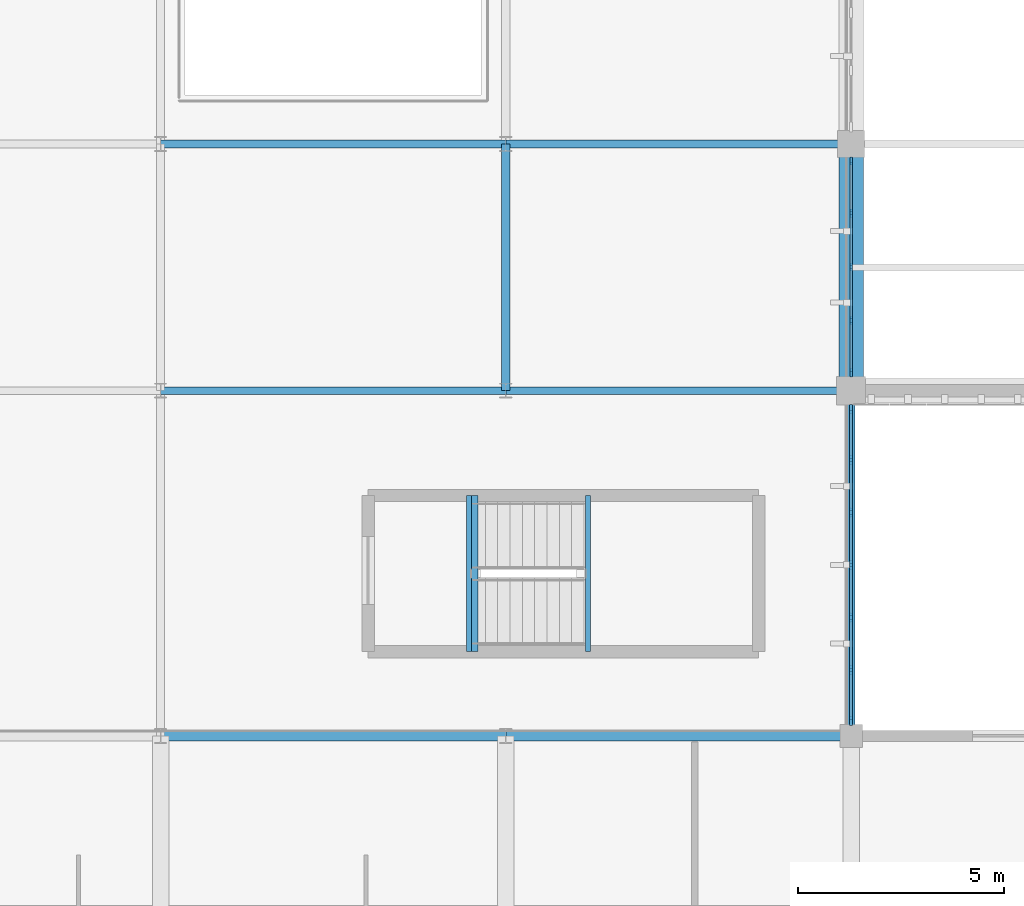
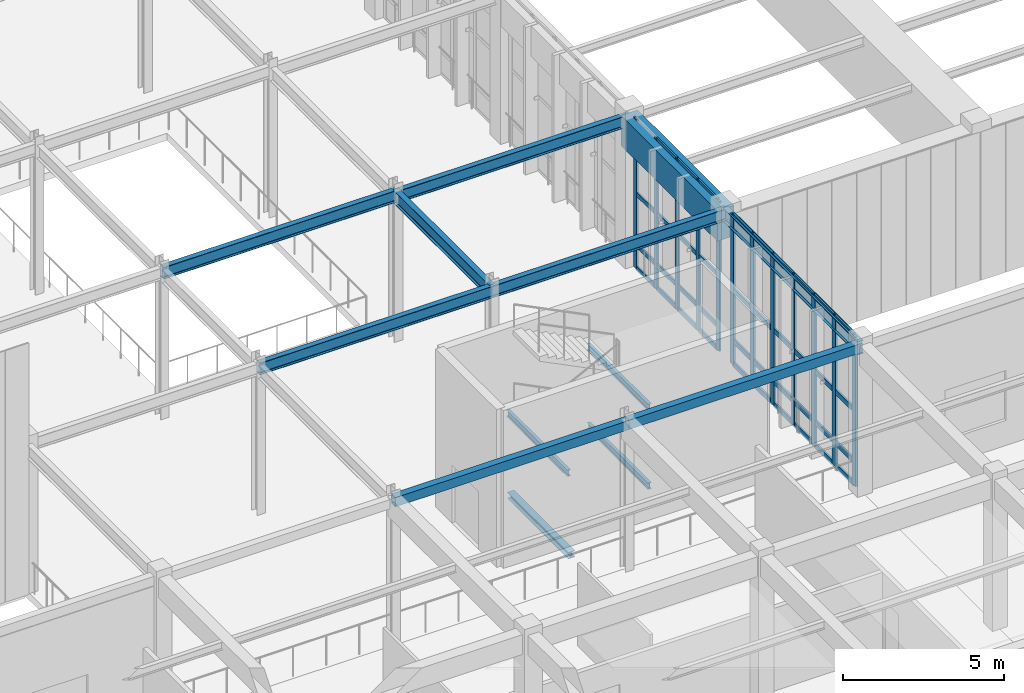
# One storey, part 24 of 105: 51 members, 13 beams, 2 elements without a shape of their own.
"""IFC4 building model written with IfcOpenShell, lengths in metres."""

import ifcopenshell
import ifcopenshell.guid

model = None  # the IFC model being written
_history = None  # IfcOwnerHistory: only IFC2X3 demands one
_inside = {}  # id of a spatial element -> (the spatial element, [elements in it])
_under = {}  # id of a project, library or spatial element -> (it, [spatial elements below it])
_declared = {}  # id of a project -> (the project, [libraries it declares])
_typed = {}  # id of a type object -> (the type object, [elements of that type])
_made_of = {}  # id of a material, layer set ... -> (it, [elements and type objects made of it])


def new_model(schema):
    """Start an empty IFC model of exactly this schema.

    Asked for "IFC4X3", IfcOpenShell would pick the latest addendum, in which some entities
    have other attributes; the version numbers below select the first issue.
    IFC2X3 requires an IfcOwnerHistory on every rooted entity: one is made here for all.
    """
    global model, _history
    if schema == "IFC4X3":
        model = ifcopenshell.file(schema_version=(4, 3, 0, 0))
    else:
        model = ifcopenshell.file(schema=schema)
    _inside.clear()
    _under.clear()
    _declared.clear()
    _typed.clear()
    _made_of.clear()
    _history = None
    if model.schema == "IFC2X3":
        org = make("IfcOrganization", Name="unknown")
        user = make(
            "IfcPersonAndOrganization",
            ThePerson=make("IfcPerson", FamilyName="unknown"),
            TheOrganization=org,
        )
        app = make(
            "IfcApplication",
            ApplicationDeveloper=org,
            Version="unknown",
            ApplicationFullName="unknown",
            ApplicationIdentifier="unknown",
        )
        _history = make(
            "IfcOwnerHistory",
            OwningUser=user,
            OwningApplication=app,
            ChangeAction="ADDED",
            CreationDate=0,
        )
    return model


def make(cls, **values):
    """One entity of the class cls with the attributes given. An attribute that is None is left unset."""
    return model.create_entity(
        cls, **{name: value for name, value in values.items() if value is not None}
    )


def rooted(cls, **values):
    """An entity with a GlobalId (a new one), such as an element, a storey or a relation."""
    return make(cls, GlobalId=ifcopenshell.guid.new(), OwnerHistory=_history, **values)


def si_unit(unit_type, name, prefix=None):
    """IfcSIUnit, for example si_unit("LENGTHUNIT", "METRE", prefix="MILLI")."""
    return make("IfcSIUnit", UnitType=unit_type, Prefix=prefix, Name=name)


def assignment(units):
    """IfcUnitAssignment: the units of a project."""
    return None if units is None else make("IfcUnitAssignment", Units=units)


def point(xyz):
    """IfcCartesianPoint."""
    return None if xyz is None else make("IfcCartesianPoint", Coordinates=xyz)


def direction(xyz):
    """IfcDirection."""
    return None if xyz is None else make("IfcDirection", DirectionRatios=xyz)


def frame(location, z_axis=None, x_axis=None):
    """IfcAxis2Placement3D, a coordinate frame: its origin and axes. An axis left out is left unset."""
    return make(
        "IfcAxis2Placement3D",
        Location=point(location),
        Axis=direction(z_axis),
        RefDirection=direction(x_axis),
    )


def frame_2d(location, x_axis=None):
    """IfcAxis2Placement2D, a coordinate frame in the plane: its origin and x axis."""
    return make(
        "IfcAxis2Placement2D", Location=point(location), RefDirection=direction(x_axis)
    )


def origin():
    """The frame at (0, 0, 0) with its axes left unset."""
    return frame((0.0, 0.0, 0.0))


def origin_2d():
    """The frame at (0, 0) in the plane with its x axis left unset."""
    return frame_2d((0.0, 0.0))


def place(relative_to, where):
    """IfcLocalPlacement: puts the frame where relative to a parent placement (None: the world)."""
    return make(
        "IfcLocalPlacement", PlacementRelTo=relative_to, RelativePlacement=where
    )


def context(
    kind, dimensions, precision=None, world=None, true_north=None, identifier=None
):
    """IfcGeometricRepresentationContext, for example the 3D "Model" context."""
    return make(
        "IfcGeometricRepresentationContext",
        ContextIdentifier=identifier,
        ContextType=kind,
        CoordinateSpaceDimension=dimensions,
        Precision=precision,
        WorldCoordinateSystem=world,
        TrueNorth=true_north,
    )


def subcontext(parent, identifier, kind, view, scale=None):
    """IfcGeometricRepresentationSubContext, for example "Body" below "Model"."""
    return make(
        "IfcGeometricRepresentationSubContext",
        ContextIdentifier=identifier,
        ContextType=kind,
        ParentContext=parent,
        TargetScale=scale,
        TargetView=view,
    )


def project(units=None, contexts=None):
    """IfcProject with its units and contexts."""
    return rooted(
        "IfcProject",
        Name="project",
        RepresentationContexts=contexts,
        UnitsInContext=assignment(units),
    )


def spatial(cls, under=None, at=None, **own):
    """A site, building, storey or space (cls), placed at a placement, below another one or the project."""
    s = rooted(cls, ObjectPlacement=at, **own)
    if under is not None:
        _under.setdefault(under.id(), (under, []))[1].append(s)
    return s


def profile(cls, at=None, kind="AREA", **sizes):
    """A parametric profile (cls). Its sizes go by their IFC names, for example OverallWidth=200.0."""
    return make(cls, ProfileType=kind, Position=at, **sizes)


def rectangle(**sizes):
    """IfcRectangleProfileDef."""
    return profile("IfcRectangleProfileDef", **sizes)


def hollow_rectangle(**sizes):
    """IfcRectangleHollowProfileDef."""
    return profile("IfcRectangleHollowProfileDef", **sizes)


def i_section(**sizes):
    """IfcIShapeProfileDef."""
    return profile("IfcIShapeProfileDef", **sizes)


def extrude(swept, where, along, depth):
    """IfcExtrudedAreaSolid: the profile swept, set in the frame where, extruded along a direction by depth."""
    return make(
        "IfcExtrudedAreaSolid",
        SweptArea=swept,
        Position=where,
        ExtrudedDirection=direction(along),
        Depth=depth,
    )


def shape(context_of_items, identifier, shape_type, items):
    """IfcShapeRepresentation: the items that make up one representation, for example the "Body"."""
    return make(
        "IfcShapeRepresentation",
        ContextOfItems=context_of_items,
        RepresentationIdentifier=identifier,
        RepresentationType=shape_type,
        Items=items,
    )


def material(Name=None, Category=None):
    """IfcMaterial."""
    return make("IfcMaterial", Name=Name, Category=Category)


def material_profile(
    of_material, cross_section, Name=None, Category=None, Priority=None
):
    """IfcMaterialProfile: a cross section and its material."""
    return make(
        "IfcMaterialProfile",
        Name=Name,
        Material=of_material,
        Profile=cross_section,
        Priority=Priority,
        Category=Category,
    )


def profile_set(profiles, Name=None, composite=None):
    """IfcMaterialProfileSet."""
    return make(
        "IfcMaterialProfileSet",
        Name=Name,
        MaterialProfiles=profiles,
        CompositeProfile=composite,
    )


def made_of(thing, what):
    """Note that an element or type object is made of a material, layer set ...; save() writes the relation."""
    if what is not None:
        _made_of.setdefault(what.id(), (what, []))[1].append(thing)
    return thing


def type_object(cls, material=None, **own):
    """A type object (cls), such as IfcWallType, which elements share."""
    return made_of(rooted(cls, **own), material)


def element(
    cls,
    number,
    at=None,
    inside=None,
    cuts=None,
    type_object=None,
    material=None,
    context=None,
    identifier="Body",
    shape_type=None,
    held_by="IfcProductDefinitionShape",
    body=None,
    shapes=None,
    **own,
):
    """One element of the class cls, such as IfcWall. Its Tag is "e" and its number.

    at: its placement. inside: the storey or other place that contains it. cuts: it is an
    opening in that element (IfcRelVoidsElement). A single representation is given by context,
    identifier, shape_type and body (its items); several are given by shapes. held_by: the class
    of the entity that holds the representations. save() writes the other relations.
    """
    e = rooted(cls, Tag="e%d" % number, ObjectPlacement=at, **own)
    if body is not None:
        shapes = [shape(context, identifier, shape_type, body)]
    if shapes is not None:
        e.Representation = make(held_by, Representations=shapes)
    if inside is not None:
        _inside.setdefault(inside.id(), (inside, []))[1].append(e)
    if cuts is not None:
        rooted(
            "IfcRelVoidsElement", RelatingBuildingElement=cuts, RelatedOpeningElement=e
        )
    if type_object is not None:
        _typed.setdefault(type_object.id(), (type_object, []))[1].append(e)
    return made_of(e, material)


def aggregate(whole, parts):
    """IfcRelAggregates: a whole, such as a stair, and the parts it consists of."""
    return rooted("IfcRelAggregates", RelatingObject=whole, RelatedObjects=parts)


def save(model, path):
    """Write the relations noted so far, then the file.

    IfcRelAggregates (storeys below a building ...), IfcRelContainedInSpatialStructure (elements
    in a storey), IfcRelDefinesByType, IfcRelAssociatesMaterial and IfcRelDeclares: one each for
    every whole, place, type object, material and project.
    """
    for whole, parts in _under.values():
        aggregate(whole, parts)
    for where, things in _inside.values():
        rooted(
            "IfcRelContainedInSpatialStructure",
            RelatedElements=things,
            RelatingStructure=where,
        )
    for kind, things in _typed.values():
        rooted("IfcRelDefinesByType", RelatedObjects=things, RelatingType=kind)
    for what, things in _made_of.values():
        rooted("IfcRelAssociatesMaterial", RelatedObjects=things, RelatingMaterial=what)
    for by, libraries in _declared.values():
        rooted("IfcRelDeclares", RelatingContext=by, RelatedDefinitions=libraries)
    model.write(path)


model = new_model("IFC4")

# Units and contexts
model_context = context("Model", 3, precision=1e-05, world=origin(), true_north=direction((0.0, 1.0)))
body_context = subcontext(model_context, "Body", "Model", "MODEL_VIEW")
ifc_project = project(units=[si_unit("LENGTHUNIT", "METRE"), si_unit("AREAUNIT", "SQUARE_METRE"), si_unit("VOLUMEUNIT", "CUBIC_METRE"), si_unit("PLANEANGLEUNIT", "RADIAN"), si_unit("MASSUNIT", "GRAM", prefix="KILO")], contexts=[model_context])

# Site, building, storey
site_placement = place(None, origin())
site = spatial("IfcSite", under=ifc_project, at=site_placement, CompositionType="ELEMENT")
building_placement = place(site_placement, origin())
building = spatial("IfcBuilding", under=site, at=building_placement, Name="Tizgana Railside Sports Hall", CompositionType="ELEMENT")
storey_placement = place(building_placement, frame((0.0, 0.0, 6.0)))
storey = spatial("IfcBuildingStorey", under=building, at=storey_placement, Name="L01", CompositionType="ELEMENT", Elevation=6.0)

# Beam
ifc_material_1 = material(Name="Concrete C40/50", Category="concrete")
ifc_material_profile_1 = material_profile(ifc_material_1, rectangle(XDim=0.60009765625, YDim=1.14990234375, at=origin_2d()), Name="RCB 600x1150")
ifc_profile_set_1 = profile_set([ifc_material_profile_1], Name="Concrete C40/50")
beam_type_1 = type_object("IfcBeamType", Name="Concrete Beam RCB 600x1150", PredefinedType="BEAM", material=ifc_profile_set_1)
beam_1_placement = place(storey_placement, frame((79.800048828125, 40.800048828125, 5.06103515625), z_axis=(0.0, 1.0, 0.0), x_axis=(-1.0, 0.0, 0.0)))
element("IfcBeam", 1, at=beam_1_placement, inside=storey, type_object=beam_type_1, Name="L01 CBG-0001", PredefinedType="BEAM", context=body_context, shape_type="SweptSolid", body=[
    extrude(rectangle(XDim=0.60009765625, YDim=1.14990234375, at=origin_2d()), origin(), (0.0, 0.0, 1.0), 6.0),
])

# Curtain wall, members
ifc_material_2 = material(Name="Anodised aluminium and glass", Category="aluminium")
curtain_wall_type_1 = type_object("IfcCurtainWallType", Name="Unitised Curtain Wall EastHall 1500", PredefinedType="NOTDEFINED", material=ifc_material_2)
curtain_wall_1_placement = place(storey_placement, origin())
curtain_wall_1 = element("IfcCurtainWall", 2, at=curtain_wall_1_placement, inside=storey, type_object=curtain_wall_type_1, Name="L01 Curtain Wall CW-0159", PredefinedType="NOTDEFINED")
ifc_material_3 = material(Name="Anodised aluminium", Category="aluminium")
ifc_material_profile_2 = material_profile(ifc_material_3, rectangle(XDim=0.06494140625, YDim=0.199951171875, at=origin_2d()), Name="Mullion 65x200")
ifc_profile_set_2 = profile_set([ifc_material_profile_2], Name="Anodised aluminium")
member_type_1 = type_object("IfcMemberType", Name="Mullion 65x200", PredefinedType="MULLION", material=ifc_profile_set_2)
member_1_placement = place(storey_placement, frame((79.800048828125, 41.237548828125, 0.0), z_axis=(0.0, 0.0, 1.0), x_axis=(-1.0, 0.0, 0.0)))
member_1 = element("IfcMember", 3, at=member_1_placement, type_object=member_type_1, Name="CW-08 mullion 1", PredefinedType="MULLION", context=body_context, shape_type="SweptSolid", body=[
    extrude(rectangle(XDim=0.06494140625, YDim=0.199951171875, at=origin_2d()), origin(), (0.0, 0.0, 1.0), 5.68994140625),
])
member_2_placement = place(storey_placement, frame((79.800048828125, 42.5087890625, 0.0), z_axis=(0.0, 0.0, 1.0), x_axis=(-1.0, 0.0, 0.0)))
member_2 = element("IfcMember", 4, at=member_2_placement, type_object=member_type_1, Name="CW-08 mullion 2", PredefinedType="MULLION", context=body_context, shape_type="SweptSolid", body=[
    extrude(rectangle(XDim=0.06494140625, YDim=0.199951171875, at=origin_2d()), origin(), (0.0, 0.0, 1.0), 5.68994140625),
])
member_3_placement = place(storey_placement, frame((79.800048828125, 43.8125, 0.0), z_axis=(0.0, 0.0, 1.0), x_axis=(-1.0, 0.0, 0.0)))
member_3 = element("IfcMember", 5, at=member_3_placement, type_object=member_type_1, Name="CW-08 mullion 3", PredefinedType="MULLION", context=body_context, shape_type="SweptSolid", body=[
    extrude(rectangle(XDim=0.06494140625, YDim=0.199951171875, at=origin_2d()), origin(), (0.0, 0.0, 1.0), 5.68994140625),
])
member_4_placement = place(storey_placement, frame((79.800048828125, 45.1162109375, 0.0), z_axis=(0.0, 0.0, 1.0), x_axis=(-1.0, 0.0, 0.0)))
member_4 = element("IfcMember", 6, at=member_4_placement, type_object=member_type_1, Name="CW-08 mullion 4", PredefinedType="MULLION", context=body_context, shape_type="SweptSolid", body=[
    extrude(rectangle(XDim=0.06494140625, YDim=0.199951171875, at=origin_2d()), origin(), (0.0, 0.0, 1.0), 5.68994140625),
])
member_5_placement = place(storey_placement, frame((79.800048828125, 46.387451171875, 0.0), z_axis=(0.0, 0.0, 1.0), x_axis=(-1.0, 0.0, 0.0)))
member_5 = element("IfcMember", 7, at=member_5_placement, type_object=member_type_1, Name="CW-08 mullion 5", PredefinedType="MULLION", context=body_context, shape_type="SweptSolid", body=[
    extrude(rectangle(XDim=0.06494140625, YDim=0.199951171875, at=origin_2d()), origin(), (0.0, 0.0, 1.0), 5.68994140625),
])

curtain_wall_type_2 = type_object("IfcCurtainWallType", Name="Unitised Curtain Wall Concourse 1500", PredefinedType="NOTDEFINED", material=ifc_material_2)
curtain_wall_2_placement = place(storey_placement, origin())
curtain_wall_2 = element("IfcCurtainWall", 8, at=curtain_wall_2_placement, inside=storey, type_object=curtain_wall_type_2, Name="L01 Curtain Wall CW-0040", PredefinedType="NOTDEFINED")
ifc_material_profile_3 = material_profile(ifc_material_3, rectangle(XDim=0.070068359375, YDim=0.219970703125, at=origin_2d()), Name="Mullion 70x220")
ifc_profile_set_3 = profile_set([ifc_material_profile_3], Name="Anodised aluminium")
member_type_2 = type_object("IfcMemberType", Name="Mullion 70x220", PredefinedType="MULLION", material=ifc_profile_set_3)
member_6_placement = place(storey_placement, frame((79.800048828125, 32.764892578125, 0.0), z_axis=(0.0, 0.0, 1.0), x_axis=(-1.0, 0.0, 0.0)))
member_6 = element("IfcMember", 9, at=member_6_placement, type_object=member_type_2, Name="CW-01 mullion 1", PredefinedType="MULLION", context=body_context, shape_type="SweptSolid", body=[
    extrude(rectangle(XDim=0.070068359375, YDim=0.219970703125, at=origin_2d()), origin(), (0.0, 0.0, 1.0), 5.68994140625),
])
member_7_placement = place(storey_placement, frame((79.800048828125, 34.007568359375, 0.0), z_axis=(0.0, 0.0, 1.0), x_axis=(-1.0, 0.0, 0.0)))
member_7 = element("IfcMember", 10, at=member_7_placement, type_object=member_type_2, Name="CW-01 mullion 2", PredefinedType="MULLION", context=body_context, shape_type="SweptSolid", body=[
    extrude(rectangle(XDim=0.070068359375, YDim=0.219970703125, at=origin_2d()), origin(), (0.0, 0.0, 1.0), 5.68994140625),
])
member_8_placement = place(storey_placement, frame((79.800048828125, 35.284912109375, 0.0), z_axis=(0.0, 0.0, 1.0), x_axis=(-1.0, 0.0, 0.0)))
member_8 = element("IfcMember", 11, at=member_8_placement, type_object=member_type_2, Name="CW-01 mullion 3", PredefinedType="MULLION", context=body_context, shape_type="SweptSolid", body=[
    extrude(rectangle(XDim=0.070068359375, YDim=0.219970703125, at=origin_2d()), origin(), (0.0, 0.0, 1.0), 5.68994140625),
])
member_9_placement = place(storey_placement, frame((79.800048828125, 36.5625, 0.0), z_axis=(0.0, 0.0, 1.0), x_axis=(-1.0, 0.0, 0.0)))
member_9 = element("IfcMember", 12, at=member_9_placement, type_object=member_type_2, Name="CW-01 mullion 4", PredefinedType="MULLION", context=body_context, shape_type="SweptSolid", body=[
    extrude(rectangle(XDim=0.070068359375, YDim=0.219970703125, at=origin_2d()), origin(), (0.0, 0.0, 1.0), 5.68994140625),
])
member_10_placement = place(storey_placement, frame((79.800048828125, 37.840087890625, 0.0), z_axis=(0.0, 0.0, 1.0), x_axis=(-1.0, 0.0, 0.0)))
member_10 = element("IfcMember", 13, at=member_10_placement, type_object=member_type_2, Name="CW-01 mullion 5", PredefinedType="MULLION", context=body_context, shape_type="SweptSolid", body=[
    extrude(rectangle(XDim=0.070068359375, YDim=0.219970703125, at=origin_2d()), origin(), (0.0, 0.0, 1.0), 5.68994140625),
])
member_11_placement = place(storey_placement, frame((79.800048828125, 39.117431640625, 0.0), z_axis=(0.0, 0.0, 1.0), x_axis=(-1.0, 0.0, 0.0)))
member_11 = element("IfcMember", 14, at=member_11_placement, type_object=member_type_2, Name="CW-01 mullion 6", PredefinedType="MULLION", context=body_context, shape_type="SweptSolid", body=[
    extrude(rectangle(XDim=0.070068359375, YDim=0.219970703125, at=origin_2d()), origin(), (0.0, 0.0, 1.0), 5.68994140625),
])
member_12_placement = place(storey_placement, frame((79.800048828125, 40.360107421875, 0.0), z_axis=(0.0, 0.0, 1.0), x_axis=(-1.0, 0.0, 0.0)))
member_12 = element("IfcMember", 15, at=member_12_placement, type_object=member_type_2, Name="CW-01 mullion 7", PredefinedType="MULLION", context=body_context, shape_type="SweptSolid", body=[
    extrude(rectangle(XDim=0.070068359375, YDim=0.219970703125, at=origin_2d()), origin(), (0.0, 0.0, 1.0), 5.68994140625),
])

# Beams
ifc_material_4 = material(Name="Steel S355J2", Category="steel")
ifc_material_profile_4 = material_profile(ifc_material_4, i_section(OverallWidth=0.1201171875, OverallDepth=0.239990234375, WebThickness=0.006103515625, FlangeThickness=0.009765625, FilletRadius=0.014892578125, at=origin_2d()), Name="IPE 240")
ifc_profile_set_4 = profile_set([ifc_material_profile_4], Name="Steel S355J2")
beam_type_2 = type_object("IfcBeamType", Name="Stair Mid-Landing Header IPE 240", PredefinedType="JOIST", material=ifc_profile_set_4)
for number, where, z_axis, x_axis, name in (
    (16, (73.39990234375, 34.449951171875, 1.177978515625), (0.0, 1.0, 0.0), (-1.0, 0.0, 0.0), "L01 C10 Mid Header 1"),
    (17, (70.5, 34.449951171875, 2.677978515625), (0.0, 1.0, 0.0), (-1.0, 0.0, 0.0), "L01 C10 Mid Header 2"),
    (18, (73.39990234375, 34.449951171875, 4.177978515625), (0.0, 1.0, 0.0), (-1.0, 0.0, 0.0), "L01 C10 Mid Header 3"),
):
    element("IfcBeam", number, at=place(storey_placement, frame(where, z_axis=z_axis, x_axis=x_axis)), inside=storey, type_object=beam_type_2, Name=name, PredefinedType="JOIST", context=body_context, shape_type="SweptSolid", body=[
        extrude(i_section(OverallWidth=0.1201171875, OverallDepth=0.239990234375, WebThickness=0.006103515625, FlangeThickness=0.009765625, FilletRadius=0.014892578125, at=origin_2d()), origin(), (0.0, 0.0, 1.0), 3.800048828125),
    ])
ifc_material_profile_5 = material_profile(ifc_material_4, i_section(OverallWidth=0.239990234375, OverallDepth=0.239990234375, WebThickness=0.010009765625, FlangeThickness=0.01708984375, FilletRadius=0.02099609375, at=origin_2d()), Name="HEB 240")
ifc_profile_set_5 = profile_set([ifc_material_profile_5], Name="Steel S355J2")
beam_type_3 = type_object("IfcBeamType", Name="Steel Beam HEB 240", PredefinedType="BEAM", material=ifc_profile_set_5)
beam_2_placement = place(storey_placement, frame((70.60009765625, 34.449951171875, -0.4619140625), z_axis=(0.0, 1.0, 0.0), x_axis=(-1.0, 0.0, 0.0)))
element("IfcBeam", 19, at=beam_2_placement, inside=storey, type_object=beam_type_3, Name="L01 C10 Landing Header", PredefinedType="BEAM", context=body_context, shape_type="SweptSolid", body=[
    extrude(i_section(OverallWidth=0.239990234375, OverallDepth=0.239990234375, WebThickness=0.010009765625, FlangeThickness=0.01708984375, FilletRadius=0.02099609375, at=origin_2d()), origin(), (0.0, 0.0, 1.0), 3.800048828125),
])
ifc_material_profile_6 = material_profile(ifc_material_4, i_section(OverallWidth=0.18994140625, OverallDepth=0.449951171875, WebThickness=0.009521484375, FlangeThickness=0.0146484375, FilletRadius=0.02099609375, at=origin_2d()), Name="IPE 450")
ifc_profile_set_6 = profile_set([ifc_material_profile_6], Name="Steel S355J2")
beam_type_4 = type_object("IfcBeamType", Name="Steel Beam IPE 450", PredefinedType="BEAM", material=ifc_profile_set_6)
for number, where, z_axis, x_axis, name in (
    (20, (63.0, 40.800048828125, 5.4609375), (1.0, 0.0, 0.0), (0.0, 1.0, 0.0), "L01 BEM-0974"),
    (21, (63.0, 46.800048828125, 5.4609375), (1.0, 0.0, 0.0), (0.0, 1.0, 0.0), "L01 BEM-0975"),
):
    element("IfcBeam", number, at=place(storey_placement, frame(where, z_axis=z_axis, x_axis=x_axis)), inside=storey, type_object=beam_type_4, Name=name, PredefinedType="BEAM", context=body_context, shape_type="SweptSolid", body=[
        extrude(i_section(OverallWidth=0.18994140625, OverallDepth=0.449951171875, WebThickness=0.009521484375, FlangeThickness=0.0146484375, FilletRadius=0.02099609375, at=origin_2d()), origin(), (0.0, 0.0, 1.0), 8.39990234375),
    ])
for number, where, z_axis, x_axis, name in (
    (22, (71.39990234375, 40.800048828125, 5.4609375), (1.0, 0.0, 0.0), (0.0, 1.0, 0.0), "L01 BEM-0981"),
    (23, (71.39990234375, 46.800048828125, 5.410888671875), (1.0, 0.0, 0.0), (0.0, 1.0, 0.0), "L01 BEM-0982"),
):
    element("IfcBeam", number, at=place(storey_placement, frame(where, z_axis=z_axis, x_axis=x_axis)), inside=storey, type_object=beam_type_4, Name=name, PredefinedType="BEAM", context=body_context, shape_type="SweptSolid", body=[
        extrude(i_section(OverallWidth=0.18994140625, OverallDepth=0.449951171875, WebThickness=0.009521484375, FlangeThickness=0.0146484375, FilletRadius=0.02099609375, at=origin_2d()), origin(), (0.0, 0.0, 1.0), 8.400146484375),
    ])
ifc_material_profile_7 = material_profile(ifc_material_4, i_section(OverallWidth=0.199951171875, OverallDepth=0.5, WebThickness=0.01025390625, FlangeThickness=0.01611328125, FilletRadius=0.02099609375, at=origin_2d()), Name="IPE 500")
ifc_profile_set_7 = profile_set([ifc_material_profile_7], Name="Steel S355J2")
beam_type_5 = type_object("IfcBeamType", Name="Steel Beam IPE 500", PredefinedType="BEAM", material=ifc_profile_set_7)
beam_3_placement = place(storey_placement, frame((71.39990234375, 40.800048828125, 5.43603515625), z_axis=(0.0, 1.0, 0.0), x_axis=(-1.0, 0.0, 0.0)))
element("IfcBeam", 24, at=beam_3_placement, inside=storey, type_object=beam_type_5, Name="L01 BEM-0960", PredefinedType="BEAM", context=body_context, shape_type="SweptSolid", body=[
    extrude(i_section(OverallWidth=0.199951171875, OverallDepth=0.5, WebThickness=0.01025390625, FlangeThickness=0.01611328125, FilletRadius=0.02099609375, at=origin_2d()), origin(), (0.0, 0.0, 1.0), 6.0),
])
beam_4_placement = place(storey_placement, frame((79.800048828125, 32.39990234375, 5.43603515625), z_axis=(0.0, 1.0, 0.0), x_axis=(-1.0, 0.0, 0.0)))
element("IfcBeam", 25, at=beam_4_placement, inside=storey, type_object=beam_type_5, Name="L01 BEM-0966", PredefinedType="BEAM", context=body_context, shape_type="SweptSolid", body=[
    extrude(i_section(OverallWidth=0.199951171875, OverallDepth=0.5, WebThickness=0.01025390625, FlangeThickness=0.01611328125, FilletRadius=0.02099609375, at=origin_2d()), origin(), (0.0, 0.0, 1.0), 8.400146484375),
])
ifc_material_profile_8 = material_profile(ifc_material_4, hollow_rectangle(XDim=0.25, YDim=0.35009765625, WallThickness=0.011962890625, at=origin_2d()), Name="RHS 350x250x12")
ifc_profile_set_8 = profile_set([ifc_material_profile_8], Name="Steel S355J2")
beam_type_6 = type_object("IfcBeamType", Name="Steel Spandrel RHS 350x250x12", PredefinedType="SPANDREL", material=ifc_profile_set_8)
beam_5_placement = place(storey_placement, frame((63.0, 32.39990234375, 5.510986328125), z_axis=(1.0, 0.0, 0.0), x_axis=(0.0, 1.0, 0.0)))
element("IfcBeam", 26, at=beam_5_placement, inside=storey, type_object=beam_type_6, Name="L01 BEM-0566", PredefinedType="SPANDREL", context=body_context, shape_type="SweptSolid", body=[
    extrude(hollow_rectangle(XDim=0.25, YDim=0.35009765625, WallThickness=0.011962890625, at=origin_2d()), origin(), (0.0, 0.0, 1.0), 8.39990234375),
])
beam_6_placement = place(storey_placement, frame((71.39990234375, 32.39990234375, 5.510986328125), z_axis=(1.0, 0.0, 0.0), x_axis=(0.0, 1.0, 0.0)))
element("IfcBeam", 27, at=beam_6_placement, inside=storey, type_object=beam_type_6, Name="L01 BEM-0574", PredefinedType="SPANDREL", context=body_context, shape_type="SweptSolid", body=[
    extrude(hollow_rectangle(XDim=0.25, YDim=0.35009765625, WallThickness=0.011962890625, at=origin_2d()), origin(), (0.0, 0.0, 1.0), 8.400146484375),
])

# Member
ifc_material_profile_9 = material_profile(ifc_material_3, rectangle(XDim=0.06494140625, YDim=0.169921875, at=origin_2d()), Name="Transom 65x170")
ifc_profile_set_9 = profile_set([ifc_material_profile_9], Name="Anodised aluminium")
member_type_3 = type_object("IfcMemberType", Name="Transom 65x170", PredefinedType="USERDEFINED", material=ifc_profile_set_9)
member_13_placement = place(storey_placement, frame((79.800048828125, 41.27001953125, 0.032470703125), z_axis=(0.0, 1.0, 0.0), x_axis=(-1.0, 0.0, 0.0)))
member_13 = element("IfcMember", 28, at=member_13_placement, type_object=member_type_3, Name="CW-08 transom 1.1", ObjectType="TRANSOM", PredefinedType="USERDEFINED", context=body_context, shape_type="SweptSolid", body=[
    extrude(rectangle(XDim=0.06494140625, YDim=0.169921875, at=origin_2d()), origin(), (0.0, 0.0, 1.0), 1.206298828125),
])

member_14_placement = place(storey_placement, frame((79.800048828125, 41.27001953125, 0.89990234375), z_axis=(0.0, 1.0, 0.0), x_axis=(-1.0, 0.0, 0.0)))
member_14 = element("IfcMember", 29, at=member_14_placement, type_object=member_type_3, Name="CW-08 transom 1.2", ObjectType="TRANSOM", PredefinedType="USERDEFINED", context=body_context, shape_type="SweptSolid", body=[
    extrude(rectangle(XDim=0.06494140625, YDim=0.169921875, at=origin_2d()), origin(), (0.0, 0.0, 1.0), 1.206298828125),
])

member_15_placement = place(storey_placement, frame((79.800048828125, 41.27001953125, 2.844970703125), z_axis=(0.0, 1.0, 0.0), x_axis=(-1.0, 0.0, 0.0)))
member_15 = element("IfcMember", 30, at=member_15_placement, type_object=member_type_3, Name="CW-08 transom 1.3", ObjectType="TRANSOM", PredefinedType="USERDEFINED", context=body_context, shape_type="SweptSolid", body=[
    extrude(rectangle(XDim=0.06494140625, YDim=0.169921875, at=origin_2d()), origin(), (0.0, 0.0, 1.0), 1.206298828125),
])

member_16_placement = place(storey_placement, frame((79.800048828125, 41.27001953125, 5.657470703125), z_axis=(0.0, 1.0, 0.0), x_axis=(-1.0, 0.0, 0.0)))
member_16 = element("IfcMember", 31, at=member_16_placement, type_object=member_type_3, Name="CW-08 transom 1.4", ObjectType="TRANSOM", PredefinedType="USERDEFINED", context=body_context, shape_type="SweptSolid", body=[
    extrude(rectangle(XDim=0.06494140625, YDim=0.169921875, at=origin_2d()), origin(), (0.0, 0.0, 1.0), 1.206298828125),
])

member_17_placement = place(storey_placement, frame((79.800048828125, 42.541259765625, 0.032470703125), z_axis=(0.0, 1.0, 0.0), x_axis=(-1.0, 0.0, 0.0)))
member_17 = element("IfcMember", 32, at=member_17_placement, type_object=member_type_3, Name="CW-08 transom 2.1", ObjectType="TRANSOM", PredefinedType="USERDEFINED", context=body_context, shape_type="SweptSolid", body=[
    extrude(rectangle(XDim=0.06494140625, YDim=0.169921875, at=origin_2d()), origin(), (0.0, 0.0, 1.0), 1.23876953125),
])

member_18_placement = place(storey_placement, frame((79.800048828125, 42.541259765625, 0.89990234375), z_axis=(0.0, 1.0, 0.0), x_axis=(-1.0, 0.0, 0.0)))
member_18 = element("IfcMember", 33, at=member_18_placement, type_object=member_type_3, Name="CW-08 transom 2.2", ObjectType="TRANSOM", PredefinedType="USERDEFINED", context=body_context, shape_type="SweptSolid", body=[
    extrude(rectangle(XDim=0.06494140625, YDim=0.169921875, at=origin_2d()), origin(), (0.0, 0.0, 1.0), 1.23876953125),
])

member_19_placement = place(storey_placement, frame((79.800048828125, 42.541259765625, 2.844970703125), z_axis=(0.0, 1.0, 0.0), x_axis=(-1.0, 0.0, 0.0)))
member_19 = element("IfcMember", 34, at=member_19_placement, type_object=member_type_3, Name="CW-08 transom 2.3", ObjectType="TRANSOM", PredefinedType="USERDEFINED", context=body_context, shape_type="SweptSolid", body=[
    extrude(rectangle(XDim=0.06494140625, YDim=0.169921875, at=origin_2d()), origin(), (0.0, 0.0, 1.0), 1.23876953125),
])

member_20_placement = place(storey_placement, frame((79.800048828125, 42.541259765625, 5.657470703125), z_axis=(0.0, 1.0, 0.0), x_axis=(-1.0, 0.0, 0.0)))
member_20 = element("IfcMember", 35, at=member_20_placement, type_object=member_type_3, Name="CW-08 transom 2.4", ObjectType="TRANSOM", PredefinedType="USERDEFINED", context=body_context, shape_type="SweptSolid", body=[
    extrude(rectangle(XDim=0.06494140625, YDim=0.169921875, at=origin_2d()), origin(), (0.0, 0.0, 1.0), 1.23876953125),
])

member_21_placement = place(storey_placement, frame((79.800048828125, 43.844970703125, 0.032470703125), z_axis=(0.0, 1.0, 0.0), x_axis=(-1.0, 0.0, 0.0)))
member_21 = element("IfcMember", 36, at=member_21_placement, type_object=member_type_3, Name="CW-08 transom 3.1", ObjectType="TRANSOM", PredefinedType="USERDEFINED", context=body_context, shape_type="SweptSolid", body=[
    extrude(rectangle(XDim=0.06494140625, YDim=0.169921875, at=origin_2d()), origin(), (0.0, 0.0, 1.0), 1.23876953125),
])

member_22_placement = place(storey_placement, frame((79.800048828125, 43.844970703125, 0.89990234375), z_axis=(0.0, 1.0, 0.0), x_axis=(-1.0, 0.0, 0.0)))
member_22 = element("IfcMember", 37, at=member_22_placement, type_object=member_type_3, Name="CW-08 transom 3.2", ObjectType="TRANSOM", PredefinedType="USERDEFINED", context=body_context, shape_type="SweptSolid", body=[
    extrude(rectangle(XDim=0.06494140625, YDim=0.169921875, at=origin_2d()), origin(), (0.0, 0.0, 1.0), 1.23876953125),
])

member_23_placement = place(storey_placement, frame((79.800048828125, 43.844970703125, 2.844970703125), z_axis=(0.0, 1.0, 0.0), x_axis=(-1.0, 0.0, 0.0)))
member_23 = element("IfcMember", 38, at=member_23_placement, type_object=member_type_3, Name="CW-08 transom 3.3", ObjectType="TRANSOM", PredefinedType="USERDEFINED", context=body_context, shape_type="SweptSolid", body=[
    extrude(rectangle(XDim=0.06494140625, YDim=0.169921875, at=origin_2d()), origin(), (0.0, 0.0, 1.0), 1.23876953125),
])

member_24_placement = place(storey_placement, frame((79.800048828125, 43.844970703125, 5.657470703125), z_axis=(0.0, 1.0, 0.0), x_axis=(-1.0, 0.0, 0.0)))
member_24 = element("IfcMember", 39, at=member_24_placement, type_object=member_type_3, Name="CW-08 transom 3.4", ObjectType="TRANSOM", PredefinedType="USERDEFINED", context=body_context, shape_type="SweptSolid", body=[
    extrude(rectangle(XDim=0.06494140625, YDim=0.169921875, at=origin_2d()), origin(), (0.0, 0.0, 1.0), 1.23876953125),
])

member_25_placement = place(storey_placement, frame((79.800048828125, 45.148681640625, 0.032470703125), z_axis=(0.0, 1.0, 0.0), x_axis=(-1.0, 0.0, 0.0)))
member_25 = element("IfcMember", 40, at=member_25_placement, type_object=member_type_3, Name="CW-08 transom 4.1", ObjectType="TRANSOM", PredefinedType="USERDEFINED", context=body_context, shape_type="SweptSolid", body=[
    extrude(rectangle(XDim=0.06494140625, YDim=0.169921875, at=origin_2d()), origin(), (0.0, 0.0, 1.0), 1.206298828125),
])

member_26_placement = place(storey_placement, frame((79.800048828125, 45.148681640625, 0.89990234375), z_axis=(0.0, 1.0, 0.0), x_axis=(-1.0, 0.0, 0.0)))
member_26 = element("IfcMember", 41, at=member_26_placement, type_object=member_type_3, Name="CW-08 transom 4.2", ObjectType="TRANSOM", PredefinedType="USERDEFINED", context=body_context, shape_type="SweptSolid", body=[
    extrude(rectangle(XDim=0.06494140625, YDim=0.169921875, at=origin_2d()), origin(), (0.0, 0.0, 1.0), 1.206298828125),
])

member_27_placement = place(storey_placement, frame((79.800048828125, 45.148681640625, 2.844970703125), z_axis=(0.0, 1.0, 0.0), x_axis=(-1.0, 0.0, 0.0)))
member_27 = element("IfcMember", 42, at=member_27_placement, type_object=member_type_3, Name="CW-08 transom 4.3", ObjectType="TRANSOM", PredefinedType="USERDEFINED", context=body_context, shape_type="SweptSolid", body=[
    extrude(rectangle(XDim=0.06494140625, YDim=0.169921875, at=origin_2d()), origin(), (0.0, 0.0, 1.0), 1.206298828125),
])

aggregate(curtain_wall_1, [member_1, member_2, member_3, member_4, member_5, member_13, member_14, member_15, member_16, member_17, member_18, member_19, member_20, member_21, member_22, member_23, member_24, member_25, member_26, member_27])

ifc_material_profile_10 = material_profile(ifc_material_3, rectangle(XDim=0.070068359375, YDim=0.18994140625, at=origin_2d()), Name="Transom 70x190")
ifc_profile_set_10 = profile_set([ifc_material_profile_10], Name="Anodised aluminium")
member_type_4 = type_object("IfcMemberType", Name="Transom 70x190", PredefinedType="USERDEFINED", material=ifc_profile_set_10)
member_28_placement = place(storey_placement, frame((79.800048828125, 32.800048828125, 0.034912109375), z_axis=(0.0, 1.0, 0.0), x_axis=(-1.0, 0.0, 0.0)))
member_28 = element("IfcMember", 43, at=member_28_placement, type_object=member_type_4, Name="CW-01 transom 1.1", ObjectType="TRANSOM", PredefinedType="USERDEFINED", context=body_context, shape_type="SweptSolid", body=[
    extrude(rectangle(XDim=0.070068359375, YDim=0.18994140625, at=origin_2d()), origin(), (0.0, 0.0, 1.0), 1.17236328125),
])

member_29_placement = place(storey_placement, frame((79.800048828125, 32.800048828125, 0.89990234375), z_axis=(0.0, 1.0, 0.0), x_axis=(-1.0, 0.0, 0.0)))
member_29 = element("IfcMember", 44, at=member_29_placement, type_object=member_type_4, Name="CW-01 transom 1.2", ObjectType="TRANSOM", PredefinedType="USERDEFINED", context=body_context, shape_type="SweptSolid", body=[
    extrude(rectangle(XDim=0.070068359375, YDim=0.18994140625, at=origin_2d()), origin(), (0.0, 0.0, 1.0), 1.17236328125),
])

member_30_placement = place(storey_placement, frame((79.800048828125, 32.800048828125, 2.844970703125), z_axis=(0.0, 1.0, 0.0), x_axis=(-1.0, 0.0, 0.0)))
member_30 = element("IfcMember", 45, at=member_30_placement, type_object=member_type_4, Name="CW-01 transom 1.3", ObjectType="TRANSOM", PredefinedType="USERDEFINED", context=body_context, shape_type="SweptSolid", body=[
    extrude(rectangle(XDim=0.070068359375, YDim=0.18994140625, at=origin_2d()), origin(), (0.0, 0.0, 1.0), 1.17236328125),
])

member_31_placement = place(storey_placement, frame((79.800048828125, 32.800048828125, 5.655029296875), z_axis=(0.0, 1.0, 0.0), x_axis=(-1.0, 0.0, 0.0)))
member_31 = element("IfcMember", 46, at=member_31_placement, type_object=member_type_4, Name="CW-01 transom 1.4", ObjectType="TRANSOM", PredefinedType="USERDEFINED", context=body_context, shape_type="SweptSolid", body=[
    extrude(rectangle(XDim=0.070068359375, YDim=0.18994140625, at=origin_2d()), origin(), (0.0, 0.0, 1.0), 1.17236328125),
])

member_32_placement = place(storey_placement, frame((79.800048828125, 34.04248046875, 0.034912109375), z_axis=(0.0, 1.0, 0.0), x_axis=(-1.0, 0.0, 0.0)))
member_32 = element("IfcMember", 47, at=member_32_placement, type_object=member_type_4, Name="CW-01 transom 2.1", ObjectType="TRANSOM", PredefinedType="USERDEFINED", context=body_context, shape_type="SweptSolid", body=[
    extrude(rectangle(XDim=0.070068359375, YDim=0.18994140625, at=origin_2d()), origin(), (0.0, 0.0, 1.0), 1.20751953125),
])

member_33_placement = place(storey_placement, frame((79.800048828125, 34.04248046875, 0.89990234375), z_axis=(0.0, 1.0, 0.0), x_axis=(-1.0, 0.0, 0.0)))
member_33 = element("IfcMember", 48, at=member_33_placement, type_object=member_type_4, Name="CW-01 transom 2.2", ObjectType="TRANSOM", PredefinedType="USERDEFINED", context=body_context, shape_type="SweptSolid", body=[
    extrude(rectangle(XDim=0.070068359375, YDim=0.18994140625, at=origin_2d()), origin(), (0.0, 0.0, 1.0), 1.20751953125),
])

member_34_placement = place(storey_placement, frame((79.800048828125, 34.04248046875, 2.844970703125), z_axis=(0.0, 1.0, 0.0), x_axis=(-1.0, 0.0, 0.0)))
member_34 = element("IfcMember", 49, at=member_34_placement, type_object=member_type_4, Name="CW-01 transom 2.3", ObjectType="TRANSOM", PredefinedType="USERDEFINED", context=body_context, shape_type="SweptSolid", body=[
    extrude(rectangle(XDim=0.070068359375, YDim=0.18994140625, at=origin_2d()), origin(), (0.0, 0.0, 1.0), 1.20751953125),
])

member_35_placement = place(storey_placement, frame((79.800048828125, 34.04248046875, 5.655029296875), z_axis=(0.0, 1.0, 0.0), x_axis=(-1.0, 0.0, 0.0)))
member_35 = element("IfcMember", 50, at=member_35_placement, type_object=member_type_4, Name="CW-01 transom 2.4", ObjectType="TRANSOM", PredefinedType="USERDEFINED", context=body_context, shape_type="SweptSolid", body=[
    extrude(rectangle(XDim=0.070068359375, YDim=0.18994140625, at=origin_2d()), origin(), (0.0, 0.0, 1.0), 1.20751953125),
])

member_36_placement = place(storey_placement, frame((79.800048828125, 35.320068359375, 0.034912109375), z_axis=(0.0, 1.0, 0.0), x_axis=(-1.0, 0.0, 0.0)))
member_36 = element("IfcMember", 51, at=member_36_placement, type_object=member_type_4, Name="CW-01 transom 3.1", ObjectType="TRANSOM", PredefinedType="USERDEFINED", context=body_context, shape_type="SweptSolid", body=[
    extrude(rectangle(XDim=0.070068359375, YDim=0.18994140625, at=origin_2d()), origin(), (0.0, 0.0, 1.0), 1.20751953125),
])

member_37_placement = place(storey_placement, frame((79.800048828125, 35.320068359375, 0.89990234375), z_axis=(0.0, 1.0, 0.0), x_axis=(-1.0, 0.0, 0.0)))
member_37 = element("IfcMember", 52, at=member_37_placement, type_object=member_type_4, Name="CW-01 transom 3.2", ObjectType="TRANSOM", PredefinedType="USERDEFINED", context=body_context, shape_type="SweptSolid", body=[
    extrude(rectangle(XDim=0.070068359375, YDim=0.18994140625, at=origin_2d()), origin(), (0.0, 0.0, 1.0), 1.20751953125),
])

member_38_placement = place(storey_placement, frame((79.800048828125, 35.320068359375, 2.844970703125), z_axis=(0.0, 1.0, 0.0), x_axis=(-1.0, 0.0, 0.0)))
member_38 = element("IfcMember", 53, at=member_38_placement, type_object=member_type_4, Name="CW-01 transom 3.3", ObjectType="TRANSOM", PredefinedType="USERDEFINED", context=body_context, shape_type="SweptSolid", body=[
    extrude(rectangle(XDim=0.070068359375, YDim=0.18994140625, at=origin_2d()), origin(), (0.0, 0.0, 1.0), 1.20751953125),
])

member_39_placement = place(storey_placement, frame((79.800048828125, 35.320068359375, 5.655029296875), z_axis=(0.0, 1.0, 0.0), x_axis=(-1.0, 0.0, 0.0)))
member_39 = element("IfcMember", 54, at=member_39_placement, type_object=member_type_4, Name="CW-01 transom 3.4", ObjectType="TRANSOM", PredefinedType="USERDEFINED", context=body_context, shape_type="SweptSolid", body=[
    extrude(rectangle(XDim=0.070068359375, YDim=0.18994140625, at=origin_2d()), origin(), (0.0, 0.0, 1.0), 1.20751953125),
])

member_40_placement = place(storey_placement, frame((79.800048828125, 36.597412109375, 0.034912109375), z_axis=(0.0, 1.0, 0.0), x_axis=(-1.0, 0.0, 0.0)))
member_40 = element("IfcMember", 55, at=member_40_placement, type_object=member_type_4, Name="CW-01 transom 4.1", ObjectType="TRANSOM", PredefinedType="USERDEFINED", context=body_context, shape_type="SweptSolid", body=[
    extrude(rectangle(XDim=0.070068359375, YDim=0.18994140625, at=origin_2d()), origin(), (0.0, 0.0, 1.0), 1.20751953125),
])

member_41_placement = place(storey_placement, frame((79.800048828125, 36.597412109375, 0.89990234375), z_axis=(0.0, 1.0, 0.0), x_axis=(-1.0, 0.0, 0.0)))
member_41 = element("IfcMember", 56, at=member_41_placement, type_object=member_type_4, Name="CW-01 transom 4.2", ObjectType="TRANSOM", PredefinedType="USERDEFINED", context=body_context, shape_type="SweptSolid", body=[
    extrude(rectangle(XDim=0.070068359375, YDim=0.18994140625, at=origin_2d()), origin(), (0.0, 0.0, 1.0), 1.20751953125),
])

member_42_placement = place(storey_placement, frame((79.800048828125, 36.597412109375, 2.844970703125), z_axis=(0.0, 1.0, 0.0), x_axis=(-1.0, 0.0, 0.0)))
member_42 = element("IfcMember", 57, at=member_42_placement, type_object=member_type_4, Name="CW-01 transom 4.3", ObjectType="TRANSOM", PredefinedType="USERDEFINED", context=body_context, shape_type="SweptSolid", body=[
    extrude(rectangle(XDim=0.070068359375, YDim=0.18994140625, at=origin_2d()), origin(), (0.0, 0.0, 1.0), 1.20751953125),
])

member_43_placement = place(storey_placement, frame((79.800048828125, 36.597412109375, 5.655029296875), z_axis=(0.0, 1.0, 0.0), x_axis=(-1.0, 0.0, 0.0)))
member_43 = element("IfcMember", 58, at=member_43_placement, type_object=member_type_4, Name="CW-01 transom 4.4", ObjectType="TRANSOM", PredefinedType="USERDEFINED", context=body_context, shape_type="SweptSolid", body=[
    extrude(rectangle(XDim=0.070068359375, YDim=0.18994140625, at=origin_2d()), origin(), (0.0, 0.0, 1.0), 1.20751953125),
])

member_44_placement = place(storey_placement, frame((79.800048828125, 37.875, 0.034912109375), z_axis=(0.0, 1.0, 0.0), x_axis=(-1.0, 0.0, 0.0)))
member_44 = element("IfcMember", 59, at=member_44_placement, type_object=member_type_4, Name="CW-01 transom 5.1", ObjectType="TRANSOM", PredefinedType="USERDEFINED", context=body_context, shape_type="SweptSolid", body=[
    extrude(rectangle(XDim=0.070068359375, YDim=0.18994140625, at=origin_2d()), origin(), (0.0, 0.0, 1.0), 1.20751953125),
])

member_45_placement = place(storey_placement, frame((79.800048828125, 37.875, 0.89990234375), z_axis=(0.0, 1.0, 0.0), x_axis=(-1.0, 0.0, 0.0)))
member_45 = element("IfcMember", 60, at=member_45_placement, type_object=member_type_4, Name="CW-01 transom 5.2", ObjectType="TRANSOM", PredefinedType="USERDEFINED", context=body_context, shape_type="SweptSolid", body=[
    extrude(rectangle(XDim=0.070068359375, YDim=0.18994140625, at=origin_2d()), origin(), (0.0, 0.0, 1.0), 1.20751953125),
])

member_46_placement = place(storey_placement, frame((79.800048828125, 37.875, 2.844970703125), z_axis=(0.0, 1.0, 0.0), x_axis=(-1.0, 0.0, 0.0)))
member_46 = element("IfcMember", 61, at=member_46_placement, type_object=member_type_4, Name="CW-01 transom 5.3", ObjectType="TRANSOM", PredefinedType="USERDEFINED", context=body_context, shape_type="SweptSolid", body=[
    extrude(rectangle(XDim=0.070068359375, YDim=0.18994140625, at=origin_2d()), origin(), (0.0, 0.0, 1.0), 1.20751953125),
])

member_47_placement = place(storey_placement, frame((79.800048828125, 37.875, 5.655029296875), z_axis=(0.0, 1.0, 0.0), x_axis=(-1.0, 0.0, 0.0)))
member_47 = element("IfcMember", 62, at=member_47_placement, type_object=member_type_4, Name="CW-01 transom 5.4", ObjectType="TRANSOM", PredefinedType="USERDEFINED", context=body_context, shape_type="SweptSolid", body=[
    extrude(rectangle(XDim=0.070068359375, YDim=0.18994140625, at=origin_2d()), origin(), (0.0, 0.0, 1.0), 1.20751953125),
])

member_48_placement = place(storey_placement, frame((79.800048828125, 39.152587890625, 0.034912109375), z_axis=(0.0, 1.0, 0.0), x_axis=(-1.0, 0.0, 0.0)))
member_48 = element("IfcMember", 63, at=member_48_placement, type_object=member_type_4, Name="CW-01 transom 6.1", ObjectType="TRANSOM", PredefinedType="USERDEFINED", context=body_context, shape_type="SweptSolid", body=[
    extrude(rectangle(XDim=0.070068359375, YDim=0.18994140625, at=origin_2d()), origin(), (0.0, 0.0, 1.0), 1.17236328125),
])

member_49_placement = place(storey_placement, frame((79.800048828125, 39.152587890625, 0.89990234375), z_axis=(0.0, 1.0, 0.0), x_axis=(-1.0, 0.0, 0.0)))
member_49 = element("IfcMember", 64, at=member_49_placement, type_object=member_type_4, Name="CW-01 transom 6.2", ObjectType="TRANSOM", PredefinedType="USERDEFINED", context=body_context, shape_type="SweptSolid", body=[
    extrude(rectangle(XDim=0.070068359375, YDim=0.18994140625, at=origin_2d()), origin(), (0.0, 0.0, 1.0), 1.17236328125),
])

member_50_placement = place(storey_placement, frame((79.800048828125, 39.152587890625, 2.844970703125), z_axis=(0.0, 1.0, 0.0), x_axis=(-1.0, 0.0, 0.0)))
member_50 = element("IfcMember", 65, at=member_50_placement, type_object=member_type_4, Name="CW-01 transom 6.3", ObjectType="TRANSOM", PredefinedType="USERDEFINED", context=body_context, shape_type="SweptSolid", body=[
    extrude(rectangle(XDim=0.070068359375, YDim=0.18994140625, at=origin_2d()), origin(), (0.0, 0.0, 1.0), 1.17236328125),
])

member_51_placement = place(storey_placement, frame((79.800048828125, 39.152587890625, 5.655029296875), z_axis=(0.0, 1.0, 0.0), x_axis=(-1.0, 0.0, 0.0)))
member_51 = element("IfcMember", 66, at=member_51_placement, type_object=member_type_4, Name="CW-01 transom 6.4", ObjectType="TRANSOM", PredefinedType="USERDEFINED", context=body_context, shape_type="SweptSolid", body=[
    extrude(rectangle(XDim=0.070068359375, YDim=0.18994140625, at=origin_2d()), origin(), (0.0, 0.0, 1.0), 1.17236328125),
])

aggregate(curtain_wall_2, [member_6, member_7, member_8, member_9, member_10, member_11, member_12, member_28, member_29, member_30, member_31, member_32, member_33, member_34, member_35, member_36, member_37, member_38, member_39, member_40, member_41, member_42, member_43, member_44, member_45, member_46, member_47, member_48, member_49, member_50, member_51])

save(model, "model.ifc")
